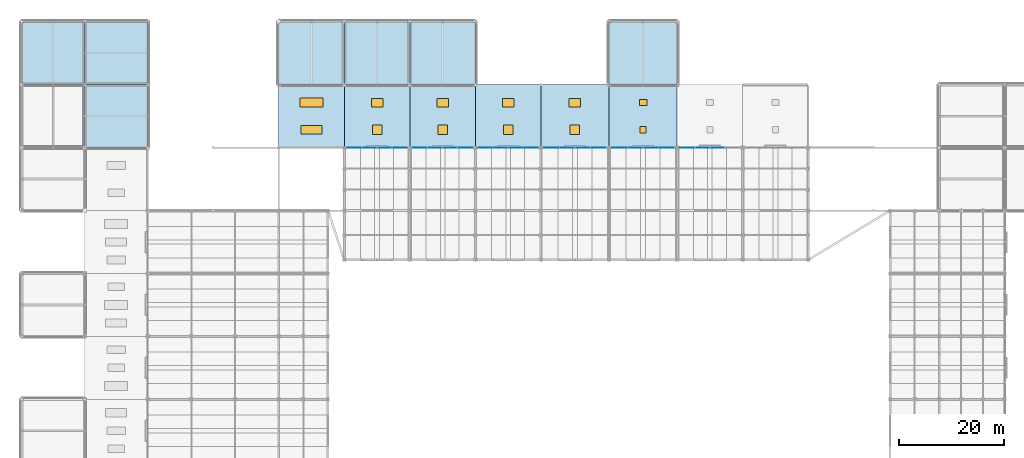
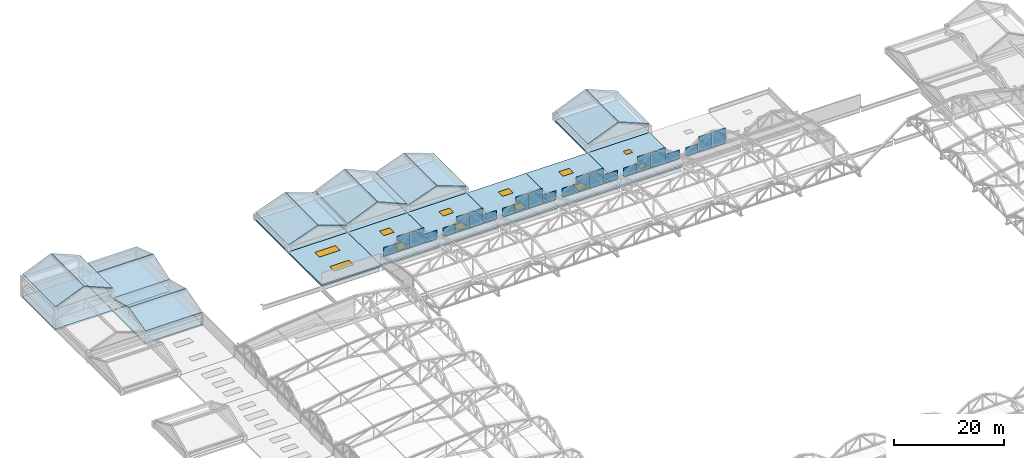
"""IFC4 building model written with IfcOpenShell, lengths in metres."""

from ifc_helpers import new_model, si_unit, direction, frame, origin, origin_2d, place, context, subcontext, project, spatial, polyline, rectangle, outline, extrude, material, layer, layer_set, type_object, element, fill, save


model = new_model("IFC4")

# Units and contexts
model_context = context("Model", 3, precision=1e-05, world=origin(), true_north=direction((0.0, 1.0)))
body_context = subcontext(model_context, "Body", "Model", "MODEL_VIEW")
ifc_project = project(units=[si_unit("LENGTHUNIT", "METRE"), si_unit("AREAUNIT", "SQUARE_METRE"), si_unit("VOLUMEUNIT", "CUBIC_METRE"), si_unit("PLANEANGLEUNIT", "RADIAN"), si_unit("MASSUNIT", "GRAM", prefix="KILO")], contexts=[model_context])

# Site, building, storey
site_placement = place(None, origin())
site = spatial("IfcSite", under=ifc_project, at=site_placement, CompositionType="ELEMENT")
building_placement = place(site_placement, origin())
building = spatial("IfcBuilding", under=site, at=building_placement, Name="Kazenohara Klinker Stadium", CompositionType="ELEMENT")
storey_1_placement = place(building_placement, frame((0.0, 0.0, 31.199951171875)))
storey_1 = spatial("IfcBuildingStorey", under=building, at=storey_1_placement, Name="RF", CompositionType="ELEMENT", Elevation=31.199951171875)

# Plates
ifc_material_1 = material(Name="Low-e laminated triple glazing", Category="glass")
ifc_layer_1 = layer(ifc_material_1, 0.0439453125)
ifc_layer_set_1 = layer_set([ifc_layer_1], Name="Low-e laminated triple glazing")
plate_type = type_object("IfcPlateType", Name="PLT-GLZ-CLER", PredefinedType="USERDEFINED", material=ifc_layer_set_1)
plate_1_placement = place(storey_1_placement, frame((63.46875, 144.0, 1.650146484375), z_axis=(0.0, 0.0, 1.0), x_axis=(1.0, 0.0, 0.0)))
element("IfcPlate", 1, at=plate_1_placement, inside=storey_1, type_object=plate_type, Name="Arched barrel clerestory glazing panel CP02 N-01-Q1", ObjectType="CLERESTORY GLAZING", PredefinedType="USERDEFINED", context=body_context, shape_type="SweptSolid", body=[
    extrude(rectangle(XDim=2.6875, YDim=0.0439453125, at=origin_2d()), origin(), (0.0, 0.0, 1.0), 2.0),
])
for number, where, z_axis, x_axis, name in (
    (2, (66.3125, 144.0, 1.650146484375), (0.0, 0.0, 1.0), (1.0, 0.0, 0.0), "Arched barrel clerestory glazing panel CP02 N-01-Q2"),
    (3, (69.1875, 144.0, 1.650146484375), (0.0, 0.0, 1.0), (1.0, 0.0, 0.0), "Arched barrel clerestory glazing panel CP02 N-01-Q3"),
):
    element("IfcPlate", number, at=place(storey_1_placement, frame(where, z_axis=z_axis, x_axis=x_axis)), inside=storey_1, type_object=plate_type, Name=name, ObjectType="CLERESTORY GLAZING", PredefinedType="USERDEFINED", context=body_context, shape_type="SweptSolid", body=[
        extrude(rectangle(XDim=2.75, YDim=0.0439453125, at=origin_2d()), origin(), (0.0, 0.0, 1.0), 3.5),
    ])
for number, where, z_axis, x_axis, name in (
    (4, (72.03125, 144.0, 1.650146484375), (0.0, 0.0, 1.0), (1.0, 0.0, 0.0), "Arched barrel clerestory glazing panel CP02 N-01-Q4"),
    (5, (75.96875, 144.0, 1.650146484375), (0.0, 0.0, 1.0), (1.0, 0.0, 0.0), "Arched barrel clerestory glazing panel CP02 N-02-Q1"),
):
    element("IfcPlate", number, at=place(storey_1_placement, frame(where, z_axis=z_axis, x_axis=x_axis)), inside=storey_1, type_object=plate_type, Name=name, ObjectType="CLERESTORY GLAZING", PredefinedType="USERDEFINED", context=body_context, shape_type="SweptSolid", body=[
        extrude(rectangle(XDim=2.6875, YDim=0.0439453125, at=origin_2d()), origin(), (0.0, 0.0, 1.0), 2.0),
    ])
for number, where, z_axis, x_axis, name in (
    (6, (78.8125, 144.0, 1.650146484375), (0.0, 0.0, 1.0), (1.0, 0.0, 0.0), "Arched barrel clerestory glazing panel CP02 N-02-Q2"),
    (7, (81.6875, 144.0, 1.650146484375), (0.0, 0.0, 1.0), (1.0, 0.0, 0.0), "Arched barrel clerestory glazing panel CP02 N-02-Q3"),
):
    element("IfcPlate", number, at=place(storey_1_placement, frame(where, z_axis=z_axis, x_axis=x_axis)), inside=storey_1, type_object=plate_type, Name=name, ObjectType="CLERESTORY GLAZING", PredefinedType="USERDEFINED", context=body_context, shape_type="SweptSolid", body=[
        extrude(rectangle(XDim=2.75, YDim=0.0439453125, at=origin_2d()), origin(), (0.0, 0.0, 1.0), 3.5),
    ])
for number, where, z_axis, x_axis, name in (
    (8, (84.53125, 144.0, 1.650146484375), (0.0, 0.0, 1.0), (1.0, 0.0, 0.0), "Arched barrel clerestory glazing panel CP02 N-02-Q4"),
    (9, (88.46875, 144.0, 1.650146484375), (0.0, 0.0, 1.0), (1.0, 0.0, 0.0), "Arched barrel clerestory glazing panel CP02 N-03-Q1"),
):
    element("IfcPlate", number, at=place(storey_1_placement, frame(where, z_axis=z_axis, x_axis=x_axis)), inside=storey_1, type_object=plate_type, Name=name, ObjectType="CLERESTORY GLAZING", PredefinedType="USERDEFINED", context=body_context, shape_type="SweptSolid", body=[
        extrude(rectangle(XDim=2.6875, YDim=0.0439453125, at=origin_2d()), origin(), (0.0, 0.0, 1.0), 2.0),
    ])
for number, where, z_axis, x_axis, name in (
    (10, (91.3125, 144.0, 1.650146484375), (0.0, 0.0, 1.0), (1.0, 0.0, 0.0), "Arched barrel clerestory glazing panel CP02 N-03-Q2"),
    (11, (94.1875, 144.0, 1.650146484375), (0.0, 0.0, 1.0), (1.0, 0.0, 0.0), "Arched barrel clerestory glazing panel CP02 N-03-Q3"),
):
    element("IfcPlate", number, at=place(storey_1_placement, frame(where, z_axis=z_axis, x_axis=x_axis)), inside=storey_1, type_object=plate_type, Name=name, ObjectType="CLERESTORY GLAZING", PredefinedType="USERDEFINED", context=body_context, shape_type="SweptSolid", body=[
        extrude(rectangle(XDim=2.75, YDim=0.0439453125, at=origin_2d()), origin(), (0.0, 0.0, 1.0), 3.5),
    ])
plate_2_placement = place(storey_1_placement, frame((97.03125, 144.0, 1.650146484375), z_axis=(0.0, 0.0, 1.0), x_axis=(1.0, 0.0, 0.0)))
element("IfcPlate", 12, at=plate_2_placement, inside=storey_1, type_object=plate_type, Name="Arched barrel clerestory glazing panel CP02 N-03-Q4", ObjectType="CLERESTORY GLAZING", PredefinedType="USERDEFINED", context=body_context, shape_type="SweptSolid", body=[
    extrude(rectangle(XDim=2.6875, YDim=0.0439453125, at=origin_2d()), origin(), (0.0, 0.0, 1.0), 2.0),
])
plate_3_placement = place(storey_1_placement, frame((101.047607421875, 144.0, 1.650146484375), z_axis=(0.0, 0.0, 1.0), x_axis=(1.0, 0.0, 0.0)))
element("IfcPlate", 13, at=plate_3_placement, inside=storey_1, type_object=plate_type, Name="Arched barrel clerestory glazing panel CP02 N-04-Q1", ObjectType="CLERESTORY GLAZING", PredefinedType="USERDEFINED", context=body_context, shape_type="SweptSolid", body=[
    extrude(rectangle(XDim=2.794921875, YDim=0.0439453125, at=origin_2d()), origin(), (0.0, 0.0, 1.0), 2.0),
])
for number, where, z_axis, x_axis, name in (
    (14, (104.0048828125, 144.0, 1.650146484375), (0.0, 0.0, 1.0), (1.0, 0.0, 0.0), "Arched barrel clerestory glazing panel CP02 N-04-Q2"),
    (15, (106.9951171875, 144.0, 1.650146484375), (0.0, 0.0, 1.0), (1.0, 0.0, 0.0), "Arched barrel clerestory glazing panel CP02 N-04-Q3"),
):
    element("IfcPlate", number, at=place(storey_1_placement, frame(where, z_axis=z_axis, x_axis=x_axis)), inside=storey_1, type_object=plate_type, Name=name, ObjectType="CLERESTORY GLAZING", PredefinedType="USERDEFINED", context=body_context, shape_type="SweptSolid", body=[
        extrude(rectangle(XDim=2.860107421875, YDim=0.0439453125, at=origin_2d()), origin(), (0.0, 0.0, 1.0), 3.5),
    ])
for number, where, z_axis, x_axis, name in (
    (16, (109.952392578125, 144.0, 1.650146484375), (0.0, 0.0, 1.0), (1.0, 0.0, 0.0), "Arched barrel clerestory glazing panel CP02 N-04-Q4"),
    (17, (114.047607421875, 144.0, 1.650146484375), (0.0, 0.0, 1.0), (1.0, 0.0, 0.0), "Arched barrel clerestory glazing panel CP02 N-05-Q1"),
):
    element("IfcPlate", number, at=place(storey_1_placement, frame(where, z_axis=z_axis, x_axis=x_axis)), inside=storey_1, type_object=plate_type, Name=name, ObjectType="CLERESTORY GLAZING", PredefinedType="USERDEFINED", context=body_context, shape_type="SweptSolid", body=[
        extrude(rectangle(XDim=2.794921875, YDim=0.0439453125, at=origin_2d()), origin(), (0.0, 0.0, 1.0), 2.0),
    ])
for number, where, z_axis, x_axis, name in (
    (18, (117.0048828125, 144.0, 1.650146484375), (0.0, 0.0, 1.0), (1.0, 0.0, 0.0), "Arched barrel clerestory glazing panel CP02 N-05-Q2"),
    (19, (119.9951171875, 144.0, 1.650146484375), (0.0, 0.0, 1.0), (1.0, 0.0, 0.0), "Arched barrel clerestory glazing panel CP02 N-05-Q3"),
):
    element("IfcPlate", number, at=place(storey_1_placement, frame(where, z_axis=z_axis, x_axis=x_axis)), inside=storey_1, type_object=plate_type, Name=name, ObjectType="CLERESTORY GLAZING", PredefinedType="USERDEFINED", context=body_context, shape_type="SweptSolid", body=[
        extrude(rectangle(XDim=2.860107421875, YDim=0.0439453125, at=origin_2d()), origin(), (0.0, 0.0, 1.0), 3.5),
    ])
plate_4_placement = place(storey_1_placement, frame((122.952392578125, 144.0, 1.650146484375), z_axis=(0.0, 0.0, 1.0), x_axis=(1.0, 0.0, 0.0)))
element("IfcPlate", 20, at=plate_4_placement, inside=storey_1, type_object=plate_type, Name="Arched barrel clerestory glazing panel CP02 N-05-Q4", ObjectType="CLERESTORY GLAZING", PredefinedType="USERDEFINED", context=body_context, shape_type="SweptSolid", body=[
    extrude(rectangle(XDim=2.794921875, YDim=0.0439453125, at=origin_2d()), origin(), (0.0, 0.0, 1.0), 2.0),
])
plate_5_placement = place(storey_1_placement, frame((126.96875, 144.0, 1.650146484375), z_axis=(0.0, 0.0, 1.0), x_axis=(1.0, 0.0, 0.0)))
element("IfcPlate", 21, at=plate_5_placement, inside=storey_1, type_object=plate_type, Name="Arched barrel clerestory glazing panel CP02 N-06-Q1", ObjectType="CLERESTORY GLAZING", PredefinedType="USERDEFINED", context=body_context, shape_type="SweptSolid", body=[
    extrude(rectangle(XDim=2.6875, YDim=0.0439453125, at=origin_2d()), origin(), (0.0, 0.0, 1.0), 2.0),
])
for number, where, z_axis, x_axis, name in (
    (22, (129.8125, 144.0, 1.650146484375), (0.0, 0.0, 1.0), (1.0, 0.0, 0.0), "Arched barrel clerestory glazing panel CP02 N-06-Q2"),
    (23, (132.6875, 144.0, 1.650146484375), (0.0, 0.0, 1.0), (1.0, 0.0, 0.0), "Arched barrel clerestory glazing panel CP02 N-06-Q3"),
):
    element("IfcPlate", number, at=place(storey_1_placement, frame(where, z_axis=z_axis, x_axis=x_axis)), inside=storey_1, type_object=plate_type, Name=name, ObjectType="CLERESTORY GLAZING", PredefinedType="USERDEFINED", context=body_context, shape_type="SweptSolid", body=[
        extrude(rectangle(XDim=2.75, YDim=0.0439453125, at=origin_2d()), origin(), (0.0, 0.0, 1.0), 3.5),
    ])

# Slabs
ifc_material_2 = material(Name="Steel S355", Category="steel")
ifc_layer_2 = layer(ifc_material_2, 0.18994140625)
ifc_layer_set_2 = layer_set([ifc_layer_2], Name="Steel S355")
slab_type_1 = type_object("IfcSlabType", Name="SLB-ROOF-190", PredefinedType="ROOF", material=ifc_layer_set_2)
for number, where, z_axis, x_axis, name in (
    (24, (0.0, 156.0, 4.969970703125), (-0.387637256982, 0.0, 0.921811996559), (0.921811996559, 0.0, 0.387637256982), "Pitched turret crown roof slab RS03 GT1-NW-A"),
    (25, (6.054931640625, 156.0, 7.469970703125), (0.387637256982, 0.0, 0.921811996559), (0.921811996559, 0.0, -0.387637256982), "Pitched turret crown roof slab RS03 GT1-NW-B"),
):
    element("IfcSlab", number, at=place(storey_1_placement, frame(where, z_axis=z_axis, x_axis=x_axis)), inside=storey_1, type_object=slab_type_1, Name=name, PredefinedType="ROOF", context=body_context, shape_type="SweptSolid", body=[
        extrude(outline(polyline([(0.0, 0.0), (6.449328476488212, 0.0), (6.449328476488212, 11.999999999999998), (0.0, 11.999999999999998), (0.0, 0.0)])), origin(), (0.0, 0.0, -1.0), 0.18994140625),
    ])
for number, where, z_axis, x_axis, name in (
    (26, (12.0, 156.0, 2.670166015625), (0.0, -0.31885382794, 0.947803901874), (1.0, 0.0, 0.0), "Pitched turret crown roof slab RS03 GT1-NE-A"),
    (27, (12.0, 162.054931640625, 4.670166015625), (0.0, 0.31885382794, 0.947803901874), (1.0, 0.0, 0.0), "Pitched turret crown roof slab RS03 GT1-NE-B"),
):
    element("IfcSlab", number, at=place(storey_1_placement, frame(where, z_axis=z_axis, x_axis=x_axis)), inside=storey_1, type_object=slab_type_1, Name=name, PredefinedType="ROOF", context=body_context, shape_type="SweptSolid", body=[
        extrude(outline(polyline([(0.0, 0.0), (12.0, 0.0), (12.0, 6.272466643804632), (0.0, 6.272466643804632), (0.0, 0.0)])), origin(), (0.0, 0.0, -1.0), 0.18994140625),
    ])
for number, where, z_axis, x_axis, name in (
    (28, (12.0, 144.0, 2.670166015625), (0.0, -0.259861124146, 0.9656459994), (1.0, 0.0, 0.0), "Pitched turret crown roof slab RS03 GT1-SE-A"),
    (29, (12.0, 150.054931640625, 4.27001953125), (0.0, 0.259861124146, 0.9656459994), (1.0, 0.0, 0.0), "Pitched turret crown roof slab RS03 GT1-SE-B"),
):
    element("IfcSlab", number, at=place(storey_1_placement, frame(where, z_axis=z_axis, x_axis=x_axis)), inside=storey_1, type_object=slab_type_1, Name=name, PredefinedType="ROOF", context=body_context, shape_type="SweptSolid", body=[
        extrude(outline(polyline([(0.0, 0.0), (12.0, 0.0), (12.0, 6.156571210430316), (0.0, 6.156571210430316), (0.0, 0.0)])), origin(), (0.0, 0.0, -1.0), 0.18994140625),
    ])
for number, where, z_axis, x_axis, name in (
    (30, (49.0, 156.0, 1.570068359375), (-0.341374244267, 0.0, 0.939927457494), (0.939927457494, 0.0, 0.341374244267), "Pitched turret crown roof slab RS03 NBST-04-A"),
    (31, (55.304931640625, 156.0, 3.820068359375), (0.341374244267, 0.0, 0.939927457494), (0.939927457494, 0.0, -0.341374244267), "Pitched turret crown roof slab RS03 NBST-04-B"),
):
    element("IfcSlab", number, at=place(storey_1_placement, frame(where, z_axis=z_axis, x_axis=x_axis)), inside=storey_1, type_object=slab_type_1, Name=name, PredefinedType="ROOF", context=body_context, shape_type="SweptSolid", body=[
        extrude(outline(polyline([(0.0, 0.0), (6.591006901629617, 0.0), (6.591006901629617, 12.0), (0.0, 12.0), (0.0, 0.0)])), origin(), (0.0, 0.0, -1.0), 0.18994140625),
    ])
for number, where, z_axis, x_axis, name in (
    (32, (61.5, 156.0, 1.969970703125), (-0.393307001886, 0.0, 0.919407201553), (0.919407201553, 0.0, 0.393307001886), "Pitched turret crown roof slab RS03 NBST-05-A"),
    (33, (67.804931640625, 156.0, 4.6201171875), (0.393307001886, 0.0, 0.919407201553), (0.919407201553, 0.0, -0.393307001886), "Pitched turret crown roof slab RS03 NBST-05-B"),
):
    element("IfcSlab", number, at=place(storey_1_placement, frame(where, z_axis=z_axis, x_axis=x_axis)), inside=storey_1, type_object=slab_type_1, Name=name, PredefinedType="ROOF", context=body_context, shape_type="SweptSolid", body=[
        extrude(outline(polyline([(0.0, 0.0), (6.738111632050513, 0.0), (6.738111632050513, 12.0), (0.0, 12.0), (0.0, 0.0)])), origin(), (0.0, 0.0, -1.0), 0.18994140625),
    ])
for number, where, z_axis, x_axis, name in (
    (34, (74.0, 156.0, 1.570068359375), (-0.341374244267, 0.0, 0.939927457494), (0.939927457494, 0.0, 0.341374244267), "Pitched turret crown roof slab RS03 NBST-06-A"),
    (35, (80.304931640625, 156.0, 3.820068359375), (0.341374244267, 0.0, 0.939927457494), (0.939927457494, 0.0, -0.341374244267), "Pitched turret crown roof slab RS03 NBST-06-B"),
):
    element("IfcSlab", number, at=place(storey_1_placement, frame(where, z_axis=z_axis, x_axis=x_axis)), inside=storey_1, type_object=slab_type_1, Name=name, PredefinedType="ROOF", context=body_context, shape_type="SweptSolid", body=[
        extrude(outline(polyline([(0.0, 0.0), (6.591006901629617, 0.0), (6.591006901629617, 12.0), (0.0, 12.0), (0.0, 0.0)])), origin(), (0.0, 0.0, -1.0), 0.18994140625),
    ])
for number, where, z_axis, x_axis, name in (
    (36, (112.0, 156.0, 1.969970703125), (-0.38029514516, 0.0, 0.924865180752), (0.924865180752, 0.0, 0.38029514516), "Pitched turret crown roof slab RS03 NBST-09-A"),
    (37, (118.554931640625, 156.0, 4.6201171875), (0.38029514516, 0.0, 0.924865180752), (0.924865180752, 0.0, -0.38029514516), "Pitched turret crown roof slab RS03 NBST-09-B"),
):
    element("IfcSlab", number, at=place(storey_1_placement, frame(where, z_axis=z_axis, x_axis=x_axis)), inside=storey_1, type_object=slab_type_1, Name=name, PredefinedType="ROOF", context=body_context, shape_type="SweptSolid", body=[
        extrude(outline(polyline([(0.0, 0.0), (6.968657155124072, 0.0), (6.968657155124072, 12.0), (0.0, 12.0), (0.0, 0.0)])), origin(), (0.0, 0.0, -1.0), 0.18994140625),
    ])
ifc_material_3 = material(Name="Concrete C40/50", Category="concrete")
ifc_layer_3 = layer(ifc_material_3, 0.360107421875)
ifc_layer_set_3 = layer_set([ifc_layer_3], Name="Concrete C40/50")
slab_type_2 = type_object("IfcSlabType", Name="SLB-ROOF-360", PredefinedType="ROOF", material=ifc_layer_set_3)
slab_1_placement = place(storey_1_placement, frame((0.0, 0.0, -0.35986328125)))
element("IfcSlab", 38, at=slab_1_placement, inside=storey_1, type_object=slab_type_2, Name="Main roof deck slab RS01 RF 1/P", PredefinedType="ROOF", context=body_context, shape_type="SweptSolid", body=[
    extrude(outline(polyline([(0.0, 156.0), (12.0, 156.0), (12.0, 168.0), (0.0, 168.0), (0.0, 156.0)])), origin(), (0.0, 0.0, 1.0), 0.35986328125),
])
slab_2_placement = place(storey_1_placement, frame((0.0, 0.0, -0.35986328125)))
element("IfcSlab", 39, at=slab_2_placement, inside=storey_1, type_object=slab_type_2, Name="Main roof deck slab RS01 RF 2/N", PredefinedType="ROOF", context=body_context, shape_type="SweptSolid", body=[
    extrude(outline(polyline([(12.0, 144.0), (24.0, 144.0), (24.0, 156.0), (12.0, 156.0), (12.0, 144.0)])), origin(), (0.0, 0.0, 1.0), 0.35986328125),
])
slab_3_placement = place(storey_1_placement, frame((0.0, 0.0, -0.35986328125)))
element("IfcSlab", 40, at=slab_3_placement, inside=storey_1, type_object=slab_type_2, Name="Main roof deck slab RS01 RF 2/P", PredefinedType="ROOF", context=body_context, shape_type="SweptSolid", body=[
    extrude(outline(polyline([(12.0, 156.0), (24.0, 156.0), (24.0, 168.0), (12.0, 168.0), (12.0, 156.0)])), origin(), (0.0, 0.0, 1.0), 0.35986328125),
])

# Slab, openings
slab_4_placement = place(storey_1_placement, frame((0.0, 0.0, -0.35986328125)))
slab_4 = element("IfcSlab", 41, at=slab_4_placement, inside=storey_1, type_object=slab_type_2, Name="Main roof deck slab RS01 RF 5/N", PredefinedType="ROOF", context=body_context, shape_type="SweptSolid", body=[
    extrude(outline(polyline([(49.0, 144.0), (61.5, 144.0), (61.5, 156.0), (49.0, 156.0), (49.0, 144.0)])), origin(), (0.0, 0.0, 1.0), 0.35986328125),
])
opening_1_placement = place(slab_4_placement, frame((55.25, 147.39990234375, 0.0)))
opening_1 = element("IfcOpeningElement", 42, at=opening_1_placement, cuts=slab_4, Name="Opening SK03", PredefinedType="OPENING", context=body_context, shape_type="SweptSolid", body=[
    extrude(rectangle(XDim=4.0, YDim=1.60009765625, at=origin_2d()), origin(), (0.0, 0.0, 1.0), 0.35986328125),
])
opening_2_placement = place(slab_4_placement, frame((55.25, 152.60009765625, 0.0)))
opening_2 = element("IfcOpeningElement", 43, at=opening_2_placement, cuts=slab_4, Name="Opening SK04", PredefinedType="OPENING", context=body_context, shape_type="SweptSolid", body=[
    extrude(rectangle(XDim=4.39990234375, YDim=1.699951171875, at=origin_2d()), origin(), (0.0, 0.0, 1.0), 0.35986328125),
])

# Storey
storey_2_placement = place(building_placement, frame((0.0, 0.0, 25.800048828125)))
storey_2 = spatial("IfcBuildingStorey", under=building, at=storey_2_placement, Name="L05", CompositionType="ELEMENT", Elevation=25.800048828125)

# Window
ifc_material_4 = material(Name="Thermally broken aluminium skylight glazing", Category="aluminium")
window_type_1 = type_object("IfcWindowType", Name="SKY-ARCH-03", PartitioningType="SINGLE_PANEL", PredefinedType="SKYLIGHT", material=ifc_material_4)
window_1_placement = place(opening_1_placement, frame((0.0, 0.0, 0.309814453125)))
window_1 = element("IfcWindow", 44, at=window_1_placement, inside=storey_2, type_object=window_type_1, Name="Media and press gallery roof skylight SK03-27", OverallHeight=1.60009765625, OverallWidth=4.0, PartitioningType="SINGLE_PANEL", PredefinedType="SKYLIGHT", context=body_context, shape_type="SweptSolid", body=[
    extrude(rectangle(XDim=4.0, YDim=1.60009765625, at=origin_2d()), origin(), (0.0, 0.0, 1.0), 0.050048828125),
])

fill(opening_1, window_1)

window_type_2 = type_object("IfcWindowType", Name="SKY-ARCH-04", PartitioningType="SINGLE_PANEL", PredefinedType="SKYLIGHT", material=ifc_material_4)
window_2_placement = place(opening_2_placement, frame((0.0, 0.0, 0.309814453125)))
window_2 = element("IfcWindow", 45, at=window_2_placement, inside=storey_2, type_object=window_type_2, Name="Media and press gallery roof skylight SK04-28", OverallHeight=1.699951171875, OverallWidth=4.39990234375, PartitioningType="SINGLE_PANEL", PredefinedType="SKYLIGHT", context=body_context, shape_type="SweptSolid", body=[
    extrude(rectangle(XDim=4.39990234375, YDim=1.699951171875, at=origin_2d()), origin(), (0.0, 0.0, 1.0), 0.050048828125),
])

fill(opening_2, window_2)

# Slab
slab_5_placement = place(storey_1_placement, frame((0.0, 0.0, -0.35986328125)))
element("IfcSlab", 46, at=slab_5_placement, inside=storey_1, type_object=slab_type_2, Name="Main roof deck slab RS01 RF 5/P", PredefinedType="ROOF", context=body_context, shape_type="SweptSolid", body=[
    extrude(outline(polyline([(49.0, 156.0), (61.5, 156.0), (61.5, 168.0), (49.0, 168.0), (49.0, 156.0)])), origin(), (0.0, 0.0, 1.0), 0.35986328125),
])

# Slab, openings, windows
slab_6_placement = place(storey_1_placement, frame((0.0, 0.0, -0.35986328125)))
slab_6 = element("IfcSlab", 47, at=slab_6_placement, inside=storey_1, type_object=slab_type_2, Name="Main roof deck slab RS01 RF 6/N", PredefinedType="ROOF", context=body_context, shape_type="SweptSolid", body=[
    extrude(outline(polyline([(61.5, 144.0), (74.0, 144.0), (74.0, 156.0), (61.5, 156.0), (61.5, 144.0)])), origin(), (0.0, 0.0, 1.0), 0.35986328125),
])
opening_3_placement = place(slab_6_placement, frame((67.75, 147.39990234375, 0.0)))
opening_3 = element("IfcOpeningElement", 48, at=opening_3_placement, cuts=slab_6, Name="Opening LD-R1", PredefinedType="OPENING", context=body_context, shape_type="SweptSolid", body=[
    extrude(rectangle(XDim=1.800048828125, YDim=1.800048828125, at=origin_2d()), origin(), (0.0, 0.0, 1.0), 0.35986328125),
])
opening_4_placement = place(slab_6_placement, frame((67.75, 152.60009765625, 0.0)))
opening_4 = element("IfcOpeningElement", 49, at=opening_4_placement, cuts=slab_6, Name="Opening LD-R2", PredefinedType="OPENING", context=body_context, shape_type="SweptSolid", body=[
    extrude(rectangle(XDim=2.199951171875, YDim=1.60009765625, at=origin_2d()), origin(), (0.0, 0.0, 1.0), 0.35986328125),
])
ifc_material_5 = material(Name="Triple-skin polycarbonate and aluminium kerb", Category="aluminium")
window_type_3 = type_object("IfcWindowType", Name="DOM-RF-01", PartitioningType="SINGLE_PANEL", PredefinedType="LIGHTDOME", material=ifc_material_5)
window_3_placement = place(opening_3_placement, frame((0.0, 0.0, 0.309814453125)))
window_3 = element("IfcWindow", 50, at=window_3_placement, inside=storey_2, type_object=window_type_3, Name="Broadcast studio acoustic lightdome 01", OverallHeight=1.800048828125, OverallWidth=1.800048828125, PartitioningType="SINGLE_PANEL", PredefinedType="LIGHTDOME", context=body_context, shape_type="SweptSolid", body=[
    extrude(rectangle(XDim=1.800048828125, YDim=1.800048828125, at=origin_2d()), origin(), (0.0, 0.0, 1.0), 0.050048828125),
])
fill(opening_3, window_3)
window_type_4 = type_object("IfcWindowType", Name="DOM-RF-02", PartitioningType="SINGLE_PANEL", PredefinedType="LIGHTDOME", material=ifc_material_5)
window_4_placement = place(opening_4_placement, frame((0.0, 0.0, 0.309814453125)))
window_4 = element("IfcWindow", 51, at=window_4_placement, inside=storey_2, type_object=window_type_4, Name="Broadcast studio acoustic lightdome 02", OverallHeight=1.60009765625, OverallWidth=2.199951171875, PartitioningType="SINGLE_PANEL", PredefinedType="LIGHTDOME", context=body_context, shape_type="SweptSolid", body=[
    extrude(rectangle(XDim=2.199951171875, YDim=1.60009765625, at=origin_2d()), origin(), (0.0, 0.0, 1.0), 0.050048828125),
])
fill(opening_4, window_4)

# Slab
slab_7_placement = place(storey_1_placement, frame((0.0, 0.0, -0.35986328125)))
element("IfcSlab", 52, at=slab_7_placement, inside=storey_1, type_object=slab_type_2, Name="Main roof deck slab RS01 RF 6/P", PredefinedType="ROOF", context=body_context, shape_type="SweptSolid", body=[
    extrude(outline(polyline([(61.5, 156.0), (74.0, 156.0), (74.0, 168.0), (61.5, 168.0), (61.5, 156.0)])), origin(), (0.0, 0.0, 1.0), 0.35986328125),
])

# Slab, openings, windows
slab_8_placement = place(storey_1_placement, frame((0.0, 0.0, -0.35986328125)))
slab_8 = element("IfcSlab", 53, at=slab_8_placement, inside=storey_1, type_object=slab_type_2, Name="Main roof deck slab RS01 RF 7/N", PredefinedType="ROOF", context=body_context, shape_type="SweptSolid", body=[
    extrude(outline(polyline([(74.0, 144.0), (86.5, 144.0), (86.5, 156.0), (74.0, 156.0), (74.0, 144.0)])), origin(), (0.0, 0.0, 1.0), 0.35986328125),
])
opening_5_placement = place(slab_8_placement, frame((80.25, 147.39990234375, 0.0)))
opening_5 = element("IfcOpeningElement", 54, at=opening_5_placement, cuts=slab_8, Name="Opening LD-R1", PredefinedType="OPENING", context=body_context, shape_type="SweptSolid", body=[
    extrude(rectangle(XDim=1.800048828125, YDim=1.800048828125, at=origin_2d()), origin(), (0.0, 0.0, 1.0), 0.35986328125),
])
opening_6_placement = place(slab_8_placement, frame((80.25, 152.60009765625, 0.0)))
opening_6 = element("IfcOpeningElement", 55, at=opening_6_placement, cuts=slab_8, Name="Opening LD-R2", PredefinedType="OPENING", context=body_context, shape_type="SweptSolid", body=[
    extrude(rectangle(XDim=2.199951171875, YDim=1.60009765625, at=origin_2d()), origin(), (0.0, 0.0, 1.0), 0.35986328125),
])
window_5_placement = place(opening_5_placement, frame((0.0, 0.0, 0.309814453125)))
window_5 = element("IfcWindow", 56, at=window_5_placement, inside=storey_2, type_object=window_type_3, Name="Broadcast studio acoustic lightdome 03", OverallHeight=1.800048828125, OverallWidth=1.800048828125, PartitioningType="SINGLE_PANEL", PredefinedType="LIGHTDOME", context=body_context, shape_type="SweptSolid", body=[
    extrude(rectangle(XDim=1.800048828125, YDim=1.800048828125, at=origin_2d()), origin(), (0.0, 0.0, 1.0), 0.050048828125),
])
fill(opening_5, window_5)
window_6_placement = place(opening_6_placement, frame((0.0, 0.0, 0.309814453125)))
window_6 = element("IfcWindow", 57, at=window_6_placement, inside=storey_2, type_object=window_type_4, Name="Broadcast studio acoustic lightdome 04", OverallHeight=1.60009765625, OverallWidth=2.199951171875, PartitioningType="SINGLE_PANEL", PredefinedType="LIGHTDOME", context=body_context, shape_type="SweptSolid", body=[
    extrude(rectangle(XDim=2.199951171875, YDim=1.60009765625, at=origin_2d()), origin(), (0.0, 0.0, 1.0), 0.050048828125),
])
fill(opening_6, window_6)

# Slab
slab_9_placement = place(storey_1_placement, frame((0.0, 0.0, -0.35986328125)))
element("IfcSlab", 58, at=slab_9_placement, inside=storey_1, type_object=slab_type_2, Name="Main roof deck slab RS01 RF 7/P", PredefinedType="ROOF", context=body_context, shape_type="SweptSolid", body=[
    extrude(outline(polyline([(74.0, 156.0), (86.5, 156.0), (86.5, 168.0), (74.0, 168.0), (74.0, 156.0)])), origin(), (0.0, 0.0, 1.0), 0.35986328125),
])

# Slab, openings, windows
slab_10_placement = place(storey_1_placement, frame((0.0, 0.0, -0.35986328125)))
slab_10 = element("IfcSlab", 59, at=slab_10_placement, inside=storey_1, type_object=slab_type_2, Name="Main roof deck slab RS01 RF 8/N", PredefinedType="ROOF", context=body_context, shape_type="SweptSolid", body=[
    extrude(outline(polyline([(86.5, 144.0), (99.0, 144.0), (99.0, 156.0), (86.5, 156.0), (86.5, 144.0)])), origin(), (0.0, 0.0, 1.0), 0.35986328125),
])
opening_7_placement = place(slab_10_placement, frame((92.75, 147.39990234375, 0.0)))
opening_7 = element("IfcOpeningElement", 60, at=opening_7_placement, cuts=slab_10, Name="Opening LD-R1", PredefinedType="OPENING", context=body_context, shape_type="SweptSolid", body=[
    extrude(rectangle(XDim=1.800048828125, YDim=1.800048828125, at=origin_2d()), origin(), (0.0, 0.0, 1.0), 0.35986328125),
])
opening_8_placement = place(slab_10_placement, frame((92.75, 152.60009765625, 0.0)))
opening_8 = element("IfcOpeningElement", 61, at=opening_8_placement, cuts=slab_10, Name="Opening LD-R2", PredefinedType="OPENING", context=body_context, shape_type="SweptSolid", body=[
    extrude(rectangle(XDim=2.199951171875, YDim=1.60009765625, at=origin_2d()), origin(), (0.0, 0.0, 1.0), 0.35986328125),
])
window_7_placement = place(opening_7_placement, frame((0.0, 0.0, 0.309814453125)))
window_7 = element("IfcWindow", 62, at=window_7_placement, inside=storey_2, type_object=window_type_3, Name="Broadcast studio acoustic lightdome 05", OverallHeight=1.800048828125, OverallWidth=1.800048828125, PartitioningType="SINGLE_PANEL", PredefinedType="LIGHTDOME", context=body_context, shape_type="SweptSolid", body=[
    extrude(rectangle(XDim=1.800048828125, YDim=1.800048828125, at=origin_2d()), origin(), (0.0, 0.0, 1.0), 0.050048828125),
])
fill(opening_7, window_7)
window_8_placement = place(opening_8_placement, frame((0.0, 0.0, 0.309814453125)))
window_8 = element("IfcWindow", 63, at=window_8_placement, inside=storey_2, type_object=window_type_4, Name="Broadcast studio acoustic lightdome 06", OverallHeight=1.60009765625, OverallWidth=2.199951171875, PartitioningType="SINGLE_PANEL", PredefinedType="LIGHTDOME", context=body_context, shape_type="SweptSolid", body=[
    extrude(rectangle(XDim=2.199951171875, YDim=1.60009765625, at=origin_2d()), origin(), (0.0, 0.0, 1.0), 0.050048828125),
])
fill(opening_8, window_8)

slab_11_placement = place(storey_1_placement, frame((0.0, 0.0, -0.35986328125)))
slab_11 = element("IfcSlab", 64, at=slab_11_placement, inside=storey_1, type_object=slab_type_2, Name="Main roof deck slab RS01 RF 9/N", PredefinedType="ROOF", context=body_context, shape_type="SweptSolid", body=[
    extrude(outline(polyline([(99.0, 144.0), (112.0, 144.0), (112.0, 156.0), (99.0, 156.0), (99.0, 144.0)])), origin(), (0.0, 0.0, 1.0), 0.35986328125),
])
opening_9_placement = place(slab_11_placement, frame((105.5, 147.39990234375, 0.0)))
opening_9 = element("IfcOpeningElement", 65, at=opening_9_placement, cuts=slab_11, Name="Opening LD-R1", PredefinedType="OPENING", context=body_context, shape_type="SweptSolid", body=[
    extrude(rectangle(XDim=1.800048828125, YDim=1.800048828125, at=origin_2d()), origin(), (0.0, 0.0, 1.0), 0.35986328125),
])
opening_10_placement = place(slab_11_placement, frame((105.5, 152.60009765625, 0.0)))
opening_10 = element("IfcOpeningElement", 66, at=opening_10_placement, cuts=slab_11, Name="Opening LD-R2", PredefinedType="OPENING", context=body_context, shape_type="SweptSolid", body=[
    extrude(rectangle(XDim=2.199951171875, YDim=1.60009765625, at=origin_2d()), origin(), (0.0, 0.0, 1.0), 0.35986328125),
])
window_9_placement = place(opening_9_placement, frame((0.0, 0.0, 0.309814453125)))
window_9 = element("IfcWindow", 67, at=window_9_placement, inside=storey_2, type_object=window_type_3, Name="Broadcast studio acoustic lightdome 07", OverallHeight=1.800048828125, OverallWidth=1.800048828125, PartitioningType="SINGLE_PANEL", PredefinedType="LIGHTDOME", context=body_context, shape_type="SweptSolid", body=[
    extrude(rectangle(XDim=1.800048828125, YDim=1.800048828125, at=origin_2d()), origin(), (0.0, 0.0, 1.0), 0.050048828125),
])
fill(opening_9, window_9)
window_10_placement = place(opening_10_placement, frame((0.0, 0.0, 0.309814453125)))
window_10 = element("IfcWindow", 68, at=window_10_placement, inside=storey_2, type_object=window_type_4, Name="Broadcast studio acoustic lightdome 08", OverallHeight=1.60009765625, OverallWidth=2.199951171875, PartitioningType="SINGLE_PANEL", PredefinedType="LIGHTDOME", context=body_context, shape_type="SweptSolid", body=[
    extrude(rectangle(XDim=2.199951171875, YDim=1.60009765625, at=origin_2d()), origin(), (0.0, 0.0, 1.0), 0.050048828125),
])
fill(opening_10, window_10)

# Slab, openings, doors
slab_12_placement = place(storey_1_placement, frame((0.0, 0.0, -0.35986328125)))
slab_12 = element("IfcSlab", 69, at=slab_12_placement, inside=storey_1, type_object=slab_type_2, Name="Main roof deck slab RS01 RF 10/N", PredefinedType="ROOF", context=body_context, shape_type="SweptSolid", body=[
    extrude(outline(polyline([(112.0, 144.0), (125.0, 144.0), (125.0, 156.0), (112.0, 156.0), (112.0, 144.0)])), origin(), (0.0, 0.0, 1.0), 0.35986328125),
])
opening_11_placement = place(slab_12_placement, frame((118.5, 147.39990234375, 0.0)))
opening_11 = element("IfcOpeningElement", 70, at=opening_11_placement, cuts=slab_12, Name="Opening RH01", PredefinedType="OPENING", context=body_context, shape_type="SweptSolid", body=[
    extrude(rectangle(XDim=1.199951171875, YDim=1.199951171875, at=origin_2d()), origin(), (0.0, 0.0, 1.0), 0.35986328125),
])
opening_12_placement = place(slab_12_placement, frame((118.5, 152.60009765625, 0.0)))
opening_12 = element("IfcOpeningElement", 71, at=opening_12_placement, cuts=slab_12, Name="Opening RH02", PredefinedType="OPENING", context=body_context, shape_type="SweptSolid", body=[
    extrude(rectangle(XDim=1.39990234375, YDim=1.10009765625, at=origin_2d()), origin(), (0.0, 0.0, 1.0), 0.35986328125),
])
ifc_material_6 = material(Name="Insulated aluminium roof access hatch", Category="aluminium")
door_type_1 = type_object("IfcDoorType", Name="DR-HAT-1200x1200", OperationType="NOTDEFINED", PredefinedType="TRAPDOOR", material=ifc_material_6)
door_1_placement = place(opening_11_placement, frame((0.0, 0.0, 0.309814453125)))
door_1 = element("IfcDoor", 72, at=door_1_placement, inside=storey_2, type_object=door_type_1, Name="Roof inspection hatch RH-01", OperationType="SINGLE_SWING_LEFT", OverallHeight=1.199951171875, OverallWidth=1.199951171875, PredefinedType="TRAPDOOR", context=body_context, shape_type="SweptSolid", body=[
    extrude(rectangle(XDim=1.199951171875, YDim=1.199951171875, at=origin_2d()), origin(), (0.0, 0.0, 1.0), 0.050048828125),
])
fill(opening_11, door_1)
door_type_2 = type_object("IfcDoorType", Name="DR-HAT-1400x1100", OperationType="NOTDEFINED", PredefinedType="TRAPDOOR", material=ifc_material_6)
door_2_placement = place(opening_12_placement, frame((0.0, 0.0, 0.309814453125)))
door_2 = element("IfcDoor", 73, at=door_2_placement, inside=storey_2, type_object=door_type_2, Name="Roof inspection hatch RH-02", OperationType="SINGLE_SWING_LEFT", OverallHeight=1.10009765625, OverallWidth=1.39990234375, PredefinedType="TRAPDOOR", context=body_context, shape_type="SweptSolid", body=[
    extrude(rectangle(XDim=1.39990234375, YDim=1.10009765625, at=origin_2d()), origin(), (0.0, 0.0, 1.0), 0.050048828125),
])
fill(opening_12, door_2)

# Slab
slab_13_placement = place(storey_1_placement, frame((0.0, 0.0, -0.35986328125)))
element("IfcSlab", 74, at=slab_13_placement, inside=storey_1, type_object=slab_type_2, Name="Main roof deck slab RS01 RF 10/P", PredefinedType="ROOF", context=body_context, shape_type="SweptSolid", body=[
    extrude(outline(polyline([(112.0, 156.0), (125.0, 156.0), (125.0, 168.0), (112.0, 168.0), (112.0, 156.0)])), origin(), (0.0, 0.0, 1.0), 0.35986328125),
])

save(model, "model.ifc")
